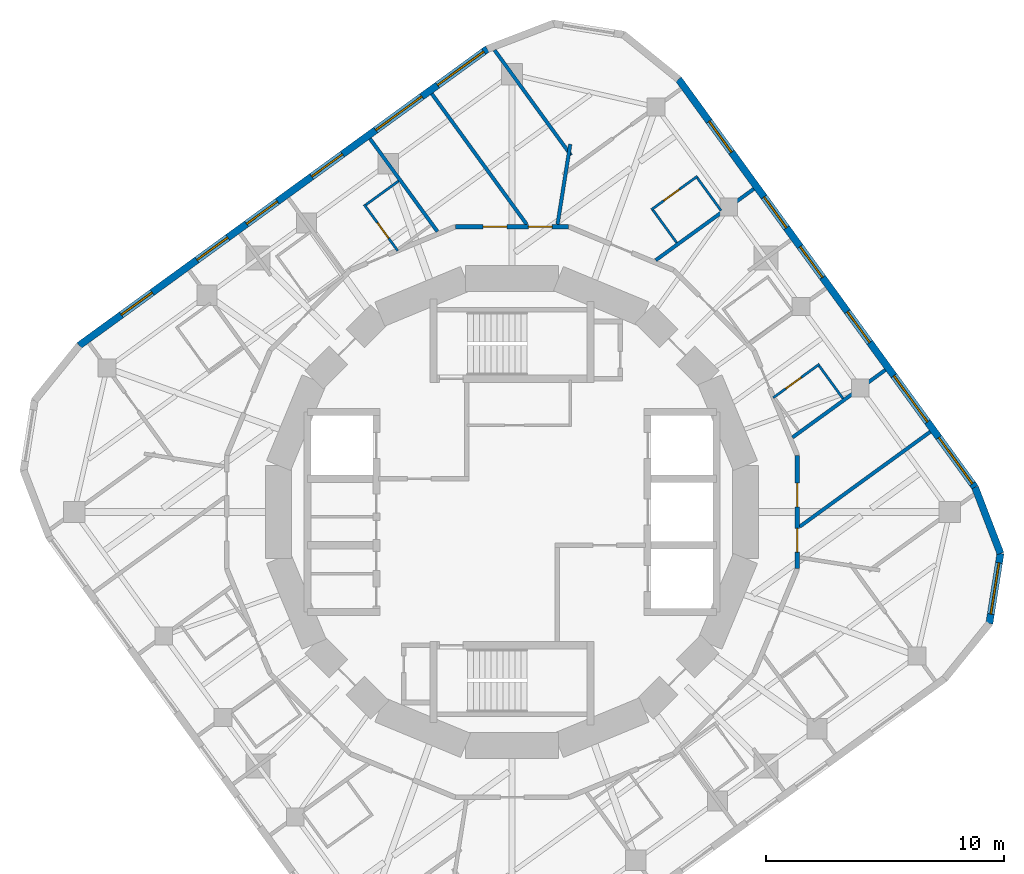
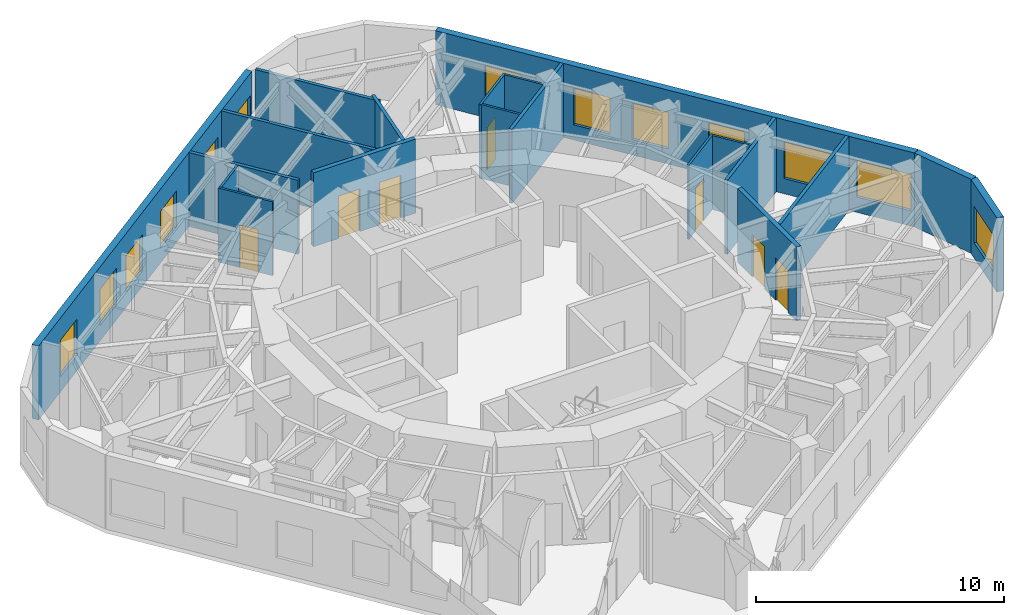
# One storey, part 7 of 9: 20 walls, 13 windows, 7 doors, 20 openings.
"""IFC4 building model written with IfcOpenShell, lengths in metres."""

from ifc_helpers import new_model, si_unit, direction, frame, frame_2d, origin, place, context, subcontext, project, spatial, rectangle, extrude, material, layer, layer_set, type_object, element, fill, save


model = new_model("IFC4")

# Units and contexts
model_context = context("Model", 3, precision=1e-05, world=origin(), true_north=direction((0.0, 1.0)))
body_context = subcontext(model_context, "Body", "Model", "MODEL_VIEW")
ifc_project = project(units=[si_unit("LENGTHUNIT", "METRE"), si_unit("AREAUNIT", "SQUARE_METRE"), si_unit("VOLUMEUNIT", "CUBIC_METRE"), si_unit("PLANEANGLEUNIT", "RADIAN"), si_unit("MASSUNIT", "GRAM", prefix="KILO")], contexts=[model_context])

# Site, building, storey
site_placement = place(None, origin())
site = spatial("IfcSite", under=ifc_project, at=site_placement, CompositionType="ELEMENT")
building_placement = place(site_placement, origin())
building = spatial("IfcBuilding", under=site, at=building_placement, Name="Nakasero Lantern House", CompositionType="ELEMENT")
storey_placement = place(building_placement, frame((0.0, 0.0, 279.14990234375)))
storey = spatial("IfcBuildingStorey", under=building, at=storey_placement, Name="L68", CompositionType="ELEMENT", Elevation=279.14990234375)

# Wall, openings, doors
ifc_material_1 = material(Name="Blockwork", Category="masonry")
ifc_layer_1 = layer(ifc_material_1, 0.199951171875)
ifc_layer_set_1 = layer_set([ifc_layer_1], Name="Corridor wall 200")
wall_type_1 = type_object("IfcWallType", Name="Corridor wall 200", PredefinedType="PARTITIONING", material=ifc_layer_set_1)
wall_1_placement = place(storey_placement, frame((11.98779296875, 2.384521484375, 0.0), z_axis=(0.0, 0.0, 1.0), x_axis=(0.0, -1.0, 0.0)))
wall_1 = element("IfcWall", 1, at=wall_1_placement, inside=storey, type_object=wall_type_1, Name="Corridor wall L68 RC00a", PredefinedType="PARTITIONING", context=body_context, shape_type="SweptSolid", body=[
    extrude(rectangle(XDim=4.76904296875, YDim=0.199951171875, at=frame_2d((2.384521484375, 0.0))), origin(), (0.0, 0.0, 1.0), 3.650146484375),
])
opening_1_placement = place(wall_1_placement, frame((3.070068359375, 0.0, 0.0)))
opening_1 = element("IfcOpeningElement", 2, at=opening_1_placement, cuts=wall_1, Name="Opening D03", PredefinedType="OPENING", context=body_context, shape_type="SweptSolid", body=[
    extrude(rectangle(XDim=1.0, YDim=2.10009765625, at=frame_2d((0.5, 1.050048828125))), frame((0.0, 0.119873046875, 0.0), z_axis=(0.0, -1.0, 0.0), x_axis=(1.0, 0.0, 0.0)), (0.0, 0.0, 1.0), 0.239990234375),
])
opening_2_placement = place(wall_1_placement, frame((1.169921875, 0.0, 0.0)))
opening_2 = element("IfcOpeningElement", 3, at=opening_2_placement, cuts=wall_1, Name="Opening D03", PredefinedType="OPENING", context=body_context, shape_type="SweptSolid", body=[
    extrude(rectangle(XDim=1.0, YDim=2.10009765625, at=frame_2d((0.5, 1.050048828125))), frame((0.0, 0.119873046875, 0.0), z_axis=(0.0, -1.0, 0.0), x_axis=(1.0, 0.0, 0.0)), (0.0, 0.0, 1.0), 0.239990234375),
])
ifc_material_2 = material(Name="Timber C24", Category="wood")
door_type_1 = type_object("IfcDoorType", Name="Lounge door FD30S 1000", OperationType="SINGLE_SWING_LEFT", PredefinedType="DOOR", material=ifc_material_2)
door_1_placement = place(opening_1_placement, origin())
door_1 = element("IfcDoor", 4, at=door_1_placement, inside=storey, type_object=door_type_1, Name="Door L68 DK0", OperationType="SINGLE_SWING_RIGHT", OverallHeight=2.10009765625, OverallWidth=1.0, PredefinedType="DOOR", context=body_context, shape_type="SweptSolid", body=[
    extrude(rectangle(XDim=1.0, YDim=2.10009765625, at=frame_2d((0.5, 1.050048828125))), frame((0.0, 0.02490234375, 0.0), z_axis=(0.0, -1.0, 0.0), x_axis=(1.0, 0.0, 0.0)), (0.0, 0.0, 1.0), 0.050048828125),
])
fill(opening_1, door_1)
door_2_placement = place(opening_2_placement, origin())
door_2 = element("IfcDoor", 5, at=door_2_placement, inside=storey, type_object=door_type_1, Name="Door L68 DK0-1", OperationType="SINGLE_SWING_LEFT", OverallHeight=2.10009765625, OverallWidth=1.0, PredefinedType="DOOR", context=body_context, shape_type="SweptSolid", body=[
    extrude(rectangle(XDim=1.0, YDim=2.10009765625, at=frame_2d((0.5, 1.050048828125))), frame((0.0, 0.02490234375, 0.0), z_axis=(0.0, -1.0, 0.0), x_axis=(1.0, 0.0, 0.0)), (0.0, 0.0, 1.0), 0.050048828125),
])
fill(opening_2, door_2)

wall_2_placement = place(storey_placement, frame((-2.384521484375, 11.98779296875, 0.0), z_axis=(0.0, 0.0, 1.0), x_axis=(1.0, 0.0, 0.0)))
wall_2 = element("IfcWall", 6, at=wall_2_placement, inside=storey, type_object=wall_type_1, Name="Corridor wall L68 RC12a", PredefinedType="PARTITIONING", context=body_context, shape_type="SweptSolid", body=[
    extrude(rectangle(XDim=4.76904296875, YDim=0.199951171875, at=frame_2d((2.384521484375, 0.0))), origin(), (0.0, 0.0, 1.0), 3.650146484375),
])
opening_3_placement = place(wall_2_placement, frame((3.070068359375, 0.0, 0.0)))
opening_3 = element("IfcOpeningElement", 7, at=opening_3_placement, cuts=wall_2, Name="Opening D03", PredefinedType="OPENING", context=body_context, shape_type="SweptSolid", body=[
    extrude(rectangle(XDim=1.0, YDim=2.10009765625, at=frame_2d((0.5, 1.050048828125))), frame((0.0, 0.119873046875, 0.0), z_axis=(0.0, -1.0, 0.0), x_axis=(1.0, 0.0, 0.0)), (0.0, 0.0, 1.0), 0.239990234375),
])
opening_4_placement = place(wall_2_placement, frame((1.169921875, 0.0, 0.0)))
opening_4 = element("IfcOpeningElement", 8, at=opening_4_placement, cuts=wall_2, Name="Opening D03", PredefinedType="OPENING", context=body_context, shape_type="SweptSolid", body=[
    extrude(rectangle(XDim=1.0, YDim=2.10009765625, at=frame_2d((0.5, 1.050048828125))), frame((0.0, 0.119873046875, 0.0), z_axis=(0.0, -1.0, 0.0), x_axis=(1.0, 0.0, 0.0)), (0.0, 0.0, 1.0), 0.239990234375),
])
door_3_placement = place(opening_3_placement, origin())
door_3 = element("IfcDoor", 9, at=door_3_placement, inside=storey, type_object=door_type_1, Name="Door L68 DK1", OperationType="SINGLE_SWING_RIGHT", OverallHeight=2.10009765625, OverallWidth=1.0, PredefinedType="DOOR", context=body_context, shape_type="SweptSolid", body=[
    extrude(rectangle(XDim=1.0, YDim=2.10009765625, at=frame_2d((0.5, 1.050048828125))), frame((0.0, 0.02490234375, 0.0), z_axis=(0.0, -1.0, 0.0), x_axis=(1.0, 0.0, 0.0)), (0.0, 0.0, 1.0), 0.050048828125),
])
fill(opening_3, door_3)
door_4_placement = place(opening_4_placement, origin())
door_4 = element("IfcDoor", 10, at=door_4_placement, inside=storey, type_object=door_type_1, Name="Door L68 DK1-1", OperationType="SINGLE_SWING_LEFT", OverallHeight=2.10009765625, OverallWidth=1.0, PredefinedType="DOOR", context=body_context, shape_type="SweptSolid", body=[
    extrude(rectangle(XDim=1.0, YDim=2.10009765625, at=frame_2d((0.5, 1.050048828125))), frame((0.0, 0.02490234375, 0.0), z_axis=(0.0, -1.0, 0.0), x_axis=(1.0, 0.0, 0.0)), (0.0, 0.0, 1.0), 0.050048828125),
])
fill(opening_4, door_4)

# Wall, opening, door
ifc_material_3 = material(Name="Blockwork", Category="masonry")
ifc_layer_2 = layer(ifc_material_3, 0.10009765625)
ifc_layer_set_2 = layer_set([ifc_layer_2], Name="En-suite wall 100")
wall_type_2 = type_object("IfcWallType", Name="En-suite wall 100", PredefinedType="PARTITIONING", material=ifc_layer_set_2)
wall_3_placement = place(storey_placement, frame((10.97705078125, 4.80126953125, 0.0), z_axis=(0.0, 0.0, 1.0), x_axis=(0.809026317077, 0.587772420479, 0.0)))
wall_3 = element("IfcWall", 11, at=wall_3_placement, inside=storey, type_object=wall_type_2, Name="En-suite wall L68 ES0-03", PredefinedType="PARTITIONING", context=body_context, shape_type="SweptSolid", body=[
    extrude(rectangle(XDim=2.39990234375, YDim=0.10009765625, at=frame_2d((1.199951171875, 0.0))), origin(), (0.0, 0.0, 1.0), 3.650146484375),
])
opening_5_placement = place(wall_3_placement, frame((0.64990234375, 0.0, 0.0)))
opening_5 = element("IfcOpeningElement", 12, at=opening_5_placement, cuts=wall_3, Name="Opening D02", PredefinedType="OPENING", context=body_context, shape_type="SweptSolid", body=[
    extrude(rectangle(XDim=0.800048828125, YDim=2.10009765625, at=frame_2d((0.39990234375, 1.050048828125))), frame((0.0, 0.070068359375, 0.0), z_axis=(0.0, -1.0, 0.0), x_axis=(1.0, 0.0, 0.0)), (0.0, 0.0, 1.0), 0.14013671875),
])
ifc_material_4 = material(Name="Timber C24", Category="wood")
door_type_2 = type_object("IfcDoorType", Name="En-suite door 800", OperationType="SINGLE_SWING_RIGHT", PredefinedType="DOOR", material=ifc_material_4)
door_5_placement = place(opening_5_placement, origin())
door_5 = element("IfcDoor", 13, at=door_5_placement, inside=storey, type_object=door_type_2, Name="Door L68 DE0-03", OperationType="SINGLE_SWING_LEFT", OverallHeight=2.10009765625, OverallWidth=0.800048828125, PredefinedType="DOOR", context=body_context, shape_type="SweptSolid", body=[
    extrude(rectangle(XDim=0.800048828125, YDim=2.10009765625, at=frame_2d((0.39990234375, 1.050048828125))), frame((0.0, 0.02490234375, 0.0), z_axis=(0.0, -1.0, 0.0), x_axis=(1.0, 0.0, 0.0)), (0.0, 0.0, 1.0), 0.050048828125),
])
fill(opening_5, door_5)

# Wall
wall_4_placement = place(storey_placement, frame((13.906982421875, 4.766845703125, 0.0), z_axis=(0.0, 0.0, 1.0), x_axis=(-0.587821529301, 0.808990636343, 0.0)))
element("IfcWall", 14, at=wall_4_placement, inside=storey, type_object=wall_type_2, Name="En-suite wall L68 EE0-03", PredefinedType="PARTITIONING", context=body_context, shape_type="SweptSolid", body=[
    extrude(rectangle(XDim=1.699951171875, YDim=0.10009765625, at=frame_2d((0.85009765625, 0.0))), origin(), (0.0, 0.0, 1.0), 3.650146484375),
])

# Wall, opening, door
wall_5_placement = place(storey_placement, frame((5.852783203125, 12.7001953125, 0.0), z_axis=(0.0, 0.0, 1.0), x_axis=(0.809026317077, 0.587772420479, 0.0)))
wall_5 = element("IfcWall", 15, at=wall_5_placement, inside=storey, type_object=wall_type_2, Name="En-suite wall L68 ES0-06", PredefinedType="PARTITIONING", context=body_context, shape_type="SweptSolid", body=[
    extrude(rectangle(XDim=2.39990234375, YDim=0.10009765625, at=frame_2d((1.199951171875, 0.0))), origin(), (0.0, 0.0, 1.0), 3.650146484375),
])
opening_6_placement = place(wall_5_placement, frame((0.64990234375, 0.0, 0.0)))
opening_6 = element("IfcOpeningElement", 16, at=opening_6_placement, cuts=wall_5, Name="Opening D02", PredefinedType="OPENING", context=body_context, shape_type="SweptSolid", body=[
    extrude(rectangle(XDim=0.800048828125, YDim=2.10009765625, at=frame_2d((0.39990234375, 1.050048828125))), frame((0.0, 0.070068359375, 0.0), z_axis=(0.0, -1.0, 0.0), x_axis=(1.0, 0.0, 0.0)), (0.0, 0.0, 1.0), 0.14013671875),
])
door_6_placement = place(opening_6_placement, origin())
door_6 = element("IfcDoor", 17, at=door_6_placement, inside=storey, type_object=door_type_2, Name="Door L68 DE0-06", OperationType="SINGLE_SWING_LEFT", OverallHeight=2.10009765625, OverallWidth=0.800048828125, PredefinedType="DOOR", context=body_context, shape_type="SweptSolid", body=[
    extrude(rectangle(XDim=0.800048828125, YDim=2.10009765625, at=frame_2d((0.39990234375, 1.050048828125))), frame((0.0, 0.02490234375, 0.0), z_axis=(0.0, -1.0, 0.0), x_axis=(1.0, 0.0, 0.0)), (0.0, 0.0, 1.0), 0.050048828125),
])
fill(opening_6, door_6)

# Walls
wall_6_placement = place(storey_placement, frame((8.78271484375, 12.665771484375, 0.0), z_axis=(0.0, 0.0, 1.0), x_axis=(-0.587821529301, 0.808990636343, 0.0)))
element("IfcWall", 18, at=wall_6_placement, inside=storey, type_object=wall_type_2, Name="En-suite wall L68 EE0-06", PredefinedType="PARTITIONING", context=body_context, shape_type="SweptSolid", body=[
    extrude(rectangle(XDim=1.699951171875, YDim=0.10009765625, at=frame_2d((0.85009765625, 0.0))), origin(), (0.0, 0.0, 1.0), 3.650146484375),
])
wall_7_placement = place(storey_placement, frame((6.921875, 11.313720703125, 0.0), z_axis=(0.0, 0.0, 1.0), x_axis=(-0.58775323954, 0.809040252033, 0.0)))
element("IfcWall", 19, at=wall_7_placement, inside=storey, type_object=wall_type_2, Name="En-suite wall L68 EI0-06", PredefinedType="PARTITIONING", context=body_context, shape_type="SweptSolid", body=[
    extrude(rectangle(XDim=1.7001953125, YDim=0.10009765625, at=frame_2d((0.85009765625, 0.0))), origin(), (0.0, 0.0, 1.0), 3.650146484375),
])

# Wall, opening, door
wall_8_placement = place(storey_placement, frame((-4.80126953125, 10.97705078125, 0.0), z_axis=(0.0, 0.0, 1.0), x_axis=(-0.587772420479, 0.809026317077, 0.0)))
wall_8 = element("IfcWall", 20, at=wall_8_placement, inside=storey, type_object=wall_type_2, Name="En-suite wall L68 ES1-03", PredefinedType="PARTITIONING", context=body_context, shape_type="SweptSolid", body=[
    extrude(rectangle(XDim=2.39990234375, YDim=0.10009765625, at=frame_2d((1.199951171875, 0.0))), origin(), (0.0, 0.0, 1.0), 3.650146484375),
])
opening_7_placement = place(wall_8_placement, frame((0.64990234375, 0.0, 0.0)))
opening_7 = element("IfcOpeningElement", 21, at=opening_7_placement, cuts=wall_8, Name="Opening D02", PredefinedType="OPENING", context=body_context, shape_type="SweptSolid", body=[
    extrude(rectangle(XDim=0.800048828125, YDim=2.10009765625, at=frame_2d((0.39990234375, 1.050048828125))), frame((0.0, 0.070068359375, 0.0), z_axis=(0.0, -1.0, 0.0), x_axis=(1.0, 0.0, 0.0)), (0.0, 0.0, 1.0), 0.14013671875),
])
door_7_placement = place(opening_7_placement, origin())
door_7 = element("IfcDoor", 22, at=door_7_placement, inside=storey, type_object=door_type_2, Name="Door L68 DE1-03", OperationType="SINGLE_SWING_LEFT", OverallHeight=2.10009765625, OverallWidth=0.800048828125, PredefinedType="DOOR", context=body_context, shape_type="SweptSolid", body=[
    extrude(rectangle(XDim=0.800048828125, YDim=2.10009765625, at=frame_2d((0.39990234375, 1.050048828125))), frame((0.0, 0.02490234375, 0.0), z_axis=(0.0, -1.0, 0.0), x_axis=(1.0, 0.0, 0.0)), (0.0, 0.0, 1.0), 0.050048828125),
])
fill(opening_7, door_7)

# Wall
wall_9_placement = place(storey_placement, frame((-4.766845703125, 13.906982421875, 0.0), z_axis=(0.0, 0.0, 1.0), x_axis=(-0.808990636343, -0.587821529301, 0.0)))
element("IfcWall", 23, at=wall_9_placement, inside=storey, type_object=wall_type_2, Name="En-suite wall L68 EE1-03", PredefinedType="PARTITIONING", context=body_context, shape_type="SweptSolid", body=[
    extrude(rectangle(XDim=1.699951171875, YDim=0.10009765625, at=frame_2d((0.85009765625, 0.0))), origin(), (0.0, 0.0, 1.0), 3.650146484375),
])

# Wall, openings, windows
ifc_material_5 = material(Name="Aluminium rainscreen on blockwork", Category="masonry")
ifc_layer_3 = layer(ifc_material_5, 0.300048828125)
ifc_layer_set_3 = layer_set([ifc_layer_3], Name="Facade wall 300")
wall_type_3 = type_object("IfcWallType", Name="Facade wall 300", PredefinedType="SOLIDWALL", material=ifc_layer_set_3)
wall_10_placement = place(storey_placement, frame((19.4580078125, 1.03466796875, 0.0), z_axis=(0.0, 0.0, 1.0), x_axis=(-0.587790233451, 0.809013375328, 0.0)))
wall_10 = element("IfcWall", 24, at=wall_10_placement, inside=storey, type_object=wall_type_3, Name="Facade wall L68 FW0S", PredefinedType="SOLIDWALL", context=body_context, shape_type="SweptSolid", body=[
    extrude(rectangle(XDim=21.199951171875, YDim=0.300048828125, at=frame_2d((10.60009765625, 0.0))), origin(), (0.0, 0.0, 1.0), 3.650146484375),
])
opening_8_placement = place(wall_10_placement, frame((7.52783203125, 0.0, 0.75)))
opening_8 = element("IfcOpeningElement", 25, at=opening_8_placement, cuts=wall_10, Name="Opening W01", PredefinedType="OPENING", context=body_context, shape_type="SweptSolid", body=[
    extrude(rectangle(XDim=1.60009765625, YDim=1.800048828125, at=frame_2d((0.800048828125, 0.89990234375))), frame((0.0, 0.169921875, 0.0), z_axis=(0.0, -1.0, 0.0), x_axis=(1.0, 0.0, 0.0)), (0.0, 0.0, 1.0), 0.340087890625),
])
opening_9_placement = place(wall_10_placement, frame((10.904052734375, 0.0, 0.75)))
opening_9 = element("IfcOpeningElement", 26, at=opening_9_placement, cuts=wall_10, Name="Opening W01", PredefinedType="OPENING", context=body_context, shape_type="SweptSolid", body=[
    extrude(rectangle(XDim=1.60009765625, YDim=1.800048828125, at=frame_2d((0.800048828125, 0.89990234375))), frame((0.0, 0.169921875, 0.0), z_axis=(0.0, -1.0, 0.0), x_axis=(1.0, 0.0, 0.0)), (0.0, 0.0, 1.0), 0.340087890625),
])
opening_10_placement = place(wall_10_placement, frame((13.484619140625, 0.0, 0.75)))
opening_10 = element("IfcOpeningElement", 27, at=opening_10_placement, cuts=wall_10, Name="Opening W01", PredefinedType="OPENING", context=body_context, shape_type="SweptSolid", body=[
    extrude(rectangle(XDim=1.60009765625, YDim=1.800048828125, at=frame_2d((0.800048828125, 0.89990234375))), frame((0.0, 0.169921875, 0.0), z_axis=(0.0, -1.0, 0.0), x_axis=(1.0, 0.0, 0.0)), (0.0, 0.0, 1.0), 0.340087890625),
])
opening_11_placement = place(wall_10_placement, frame((17.410888671875, 0.0, 0.75)))
opening_11 = element("IfcOpeningElement", 28, at=opening_11_placement, cuts=wall_10, Name="Opening W01", PredefinedType="OPENING", context=body_context, shape_type="SweptSolid", body=[
    extrude(rectangle(XDim=1.60009765625, YDim=1.800048828125, at=frame_2d((0.800048828125, 0.89990234375))), frame((0.0, 0.169921875, 0.0), z_axis=(0.0, -1.0, 0.0), x_axis=(1.0, 0.0, 0.0)), (0.0, 0.0, 1.0), 0.340087890625),
])
opening_12_placement = place(wall_10_placement, frame((0.1904296875, 0.0, 0.75)))
opening_12 = element("IfcOpeningElement", 29, at=opening_12_placement, cuts=wall_10, Name="Opening W03", PredefinedType="OPENING", context=body_context, shape_type="SweptSolid", body=[
    extrude(rectangle(XDim=2.39990234375, YDim=1.800048828125, at=frame_2d((1.199951171875, 0.89990234375))), frame((0.0, 0.169921875, 0.0), z_axis=(0.0, -1.0, 0.0), x_axis=(1.0, 0.0, 0.0)), (0.0, 0.0, 1.0), 0.340087890625),
])
opening_13_placement = place(wall_10_placement, frame((3.401611328125, 0.0, 0.75)))
opening_13 = element("IfcOpeningElement", 30, at=opening_13_placement, cuts=wall_10, Name="Opening W03", PredefinedType="OPENING", context=body_context, shape_type="SweptSolid", body=[
    extrude(rectangle(XDim=2.39990234375, YDim=1.800048828125, at=frame_2d((1.199951171875, 0.89990234375))), frame((0.0, 0.169921875, 0.0), z_axis=(0.0, -1.0, 0.0), x_axis=(1.0, 0.0, 0.0)), (0.0, 0.0, 1.0), 0.340087890625),
])
ifc_material_6 = material(Name="Aluminium 6063-T6 and glass", Category="aluminium")
window_type_1 = type_object("IfcWindowType", Name="Bedroom window 1600x1800", PartitioningType="SINGLE_PANEL", PredefinedType="WINDOW", material=ifc_material_6)
window_1_placement = place(opening_8_placement, origin())
window_1 = element("IfcWindow", 31, at=window_1_placement, inside=storey, type_object=window_type_1, Name="Window L68 WN0-03", OverallHeight=1.800048828125, OverallWidth=1.60009765625, PartitioningType="SINGLE_PANEL", PredefinedType="WINDOW", context=body_context, shape_type="SweptSolid", body=[
    extrude(rectangle(XDim=1.60009765625, YDim=1.800048828125, at=frame_2d((0.800048828125, 0.89990234375))), frame((0.0, 0.030029296875, 0.0), z_axis=(0.0, -1.0, 0.0), x_axis=(1.0, 0.0, 0.0)), (0.0, 0.0, 1.0), 0.06005859375),
])
fill(opening_8, window_1)
window_2_placement = place(opening_9_placement, origin())
window_2 = element("IfcWindow", 32, at=window_2_placement, inside=storey, type_object=window_type_1, Name="Window L68 WN0-04", OverallHeight=1.800048828125, OverallWidth=1.60009765625, PartitioningType="SINGLE_PANEL", PredefinedType="WINDOW", context=body_context, shape_type="SweptSolid", body=[
    extrude(rectangle(XDim=1.60009765625, YDim=1.800048828125, at=frame_2d((0.800048828125, 0.89990234375))), frame((0.0, 0.030029296875, 0.0), z_axis=(0.0, -1.0, 0.0), x_axis=(1.0, 0.0, 0.0)), (0.0, 0.0, 1.0), 0.06005859375),
])
fill(opening_9, window_2)
window_3_placement = place(opening_10_placement, origin())
window_3 = element("IfcWindow", 33, at=window_3_placement, inside=storey, type_object=window_type_1, Name="Window L68 WN0-05", OverallHeight=1.800048828125, OverallWidth=1.60009765625, PartitioningType="SINGLE_PANEL", PredefinedType="WINDOW", context=body_context, shape_type="SweptSolid", body=[
    extrude(rectangle(XDim=1.60009765625, YDim=1.800048828125, at=frame_2d((0.800048828125, 0.89990234375))), frame((0.0, 0.030029296875, 0.0), z_axis=(0.0, -1.0, 0.0), x_axis=(1.0, 0.0, 0.0)), (0.0, 0.0, 1.0), 0.06005859375),
])
fill(opening_10, window_3)
window_4_placement = place(opening_11_placement, origin())
window_4 = element("IfcWindow", 34, at=window_4_placement, inside=storey, type_object=window_type_1, Name="Window L68 WN0-06", OverallHeight=1.800048828125, OverallWidth=1.60009765625, PartitioningType="SINGLE_PANEL", PredefinedType="WINDOW", context=body_context, shape_type="SweptSolid", body=[
    extrude(rectangle(XDim=1.60009765625, YDim=1.800048828125, at=frame_2d((0.800048828125, 0.89990234375))), frame((0.0, 0.030029296875, 0.0), z_axis=(0.0, -1.0, 0.0), x_axis=(1.0, 0.0, 0.0)), (0.0, 0.0, 1.0), 0.06005859375),
])
fill(opening_11, window_4)
ifc_material_7 = material(Name="Aluminium 6063-T6 and glass", Category="aluminium")
window_type_2 = type_object("IfcWindowType", Name="Lounge window 2400x1800", PartitioningType="SINGLE_PANEL", PredefinedType="WINDOW", material=ifc_material_7)
window_5_placement = place(opening_12_placement, origin())
window_5 = element("IfcWindow", 35, at=window_5_placement, inside=storey, type_object=window_type_2, Name="Window L68 WK0", OverallHeight=1.800048828125, OverallWidth=2.39990234375, PartitioningType="SINGLE_PANEL", PredefinedType="WINDOW", context=body_context, shape_type="SweptSolid", body=[
    extrude(rectangle(XDim=2.39990234375, YDim=1.800048828125, at=frame_2d((1.199951171875, 0.89990234375))), frame((0.0, 0.030029296875, 0.0), z_axis=(0.0, -1.0, 0.0), x_axis=(1.0, 0.0, 0.0)), (0.0, 0.0, 1.0), 0.06005859375),
])
fill(opening_12, window_5)
window_6_placement = place(opening_13_placement, origin())
window_6 = element("IfcWindow", 36, at=window_6_placement, inside=storey, type_object=window_type_2, Name="Window L68 WL0", OverallHeight=1.800048828125, OverallWidth=2.39990234375, PartitioningType="SINGLE_PANEL", PredefinedType="WINDOW", context=body_context, shape_type="SweptSolid", body=[
    extrude(rectangle(XDim=2.39990234375, YDim=1.800048828125, at=frame_2d((1.199951171875, 0.89990234375))), frame((0.0, 0.030029296875, 0.0), z_axis=(0.0, -1.0, 0.0), x_axis=(1.0, 0.0, 0.0)), (0.0, 0.0, 1.0), 0.06005859375),
])
fill(opening_13, window_6)

wall_11_placement = place(storey_placement, frame((-1.03466796875, 19.4580078125, 0.0), z_axis=(0.0, 0.0, 1.0), x_axis=(-0.809013375328, -0.587790233451, 0.0)))
wall_11 = element("IfcWall", 37, at=wall_11_placement, inside=storey, type_object=wall_type_3, Name="Facade wall L68 FW1S", PredefinedType="SOLIDWALL", context=body_context, shape_type="SweptSolid", body=[
    extrude(rectangle(XDim=21.199951171875, YDim=0.300048828125, at=frame_2d((10.60009765625, 0.0))), origin(), (0.0, 0.0, 1.0), 3.650146484375),
])
opening_14_placement = place(wall_11_placement, frame((7.52783203125, 0.0, 0.75)))
opening_14 = element("IfcOpeningElement", 38, at=opening_14_placement, cuts=wall_11, Name="Opening W01", PredefinedType="OPENING", context=body_context, shape_type="SweptSolid", body=[
    extrude(rectangle(XDim=1.60009765625, YDim=1.800048828125, at=frame_2d((0.800048828125, 0.89990234375))), frame((0.0, 0.169921875, 0.0), z_axis=(0.0, -1.0, 0.0), x_axis=(1.0, 0.0, 0.0)), (0.0, 0.0, 1.0), 0.340087890625),
])
opening_15_placement = place(wall_11_placement, frame((10.904052734375, 0.0, 0.75)))
opening_15 = element("IfcOpeningElement", 39, at=opening_15_placement, cuts=wall_11, Name="Opening W01", PredefinedType="OPENING", context=body_context, shape_type="SweptSolid", body=[
    extrude(rectangle(XDim=1.60009765625, YDim=1.800048828125, at=frame_2d((0.800048828125, 0.89990234375))), frame((0.0, 0.169921875, 0.0), z_axis=(0.0, -1.0, 0.0), x_axis=(1.0, 0.0, 0.0)), (0.0, 0.0, 1.0), 0.340087890625),
])
opening_16_placement = place(wall_11_placement, frame((13.484619140625, 0.0, 0.75)))
opening_16 = element("IfcOpeningElement", 40, at=opening_16_placement, cuts=wall_11, Name="Opening W01", PredefinedType="OPENING", context=body_context, shape_type="SweptSolid", body=[
    extrude(rectangle(XDim=1.60009765625, YDim=1.800048828125, at=frame_2d((0.800048828125, 0.89990234375))), frame((0.0, 0.169921875, 0.0), z_axis=(0.0, -1.0, 0.0), x_axis=(1.0, 0.0, 0.0)), (0.0, 0.0, 1.0), 0.340087890625),
])
opening_17_placement = place(wall_11_placement, frame((17.410888671875, 0.0, 0.75)))
opening_17 = element("IfcOpeningElement", 41, at=opening_17_placement, cuts=wall_11, Name="Opening W01", PredefinedType="OPENING", context=body_context, shape_type="SweptSolid", body=[
    extrude(rectangle(XDim=1.60009765625, YDim=1.800048828125, at=frame_2d((0.800048828125, 0.89990234375))), frame((0.0, 0.169921875, 0.0), z_axis=(0.0, -1.0, 0.0), x_axis=(1.0, 0.0, 0.0)), (0.0, 0.0, 1.0), 0.340087890625),
])
opening_18_placement = place(wall_11_placement, frame((0.1904296875, 0.0, 0.75)))
opening_18 = element("IfcOpeningElement", 42, at=opening_18_placement, cuts=wall_11, Name="Opening W03", PredefinedType="OPENING", context=body_context, shape_type="SweptSolid", body=[
    extrude(rectangle(XDim=2.39990234375, YDim=1.800048828125, at=frame_2d((1.199951171875, 0.89990234375))), frame((0.0, 0.169921875, 0.0), z_axis=(0.0, -1.0, 0.0), x_axis=(1.0, 0.0, 0.0)), (0.0, 0.0, 1.0), 0.340087890625),
])
opening_19_placement = place(wall_11_placement, frame((3.401611328125, 0.0, 0.75)))
opening_19 = element("IfcOpeningElement", 43, at=opening_19_placement, cuts=wall_11, Name="Opening W03", PredefinedType="OPENING", context=body_context, shape_type="SweptSolid", body=[
    extrude(rectangle(XDim=2.39990234375, YDim=1.800048828125, at=frame_2d((1.199951171875, 0.89990234375))), frame((0.0, 0.169921875, 0.0), z_axis=(0.0, -1.0, 0.0), x_axis=(1.0, 0.0, 0.0)), (0.0, 0.0, 1.0), 0.340087890625),
])
window_7_placement = place(opening_14_placement, origin())
window_7 = element("IfcWindow", 44, at=window_7_placement, inside=storey, type_object=window_type_1, Name="Window L68 WN1-03", OverallHeight=1.800048828125, OverallWidth=1.60009765625, PartitioningType="SINGLE_PANEL", PredefinedType="WINDOW", context=body_context, shape_type="SweptSolid", body=[
    extrude(rectangle(XDim=1.60009765625, YDim=1.800048828125, at=frame_2d((0.800048828125, 0.89990234375))), frame((0.0, 0.030029296875, 0.0), z_axis=(0.0, -1.0, 0.0), x_axis=(1.0, 0.0, 0.0)), (0.0, 0.0, 1.0), 0.06005859375),
])
fill(opening_14, window_7)
window_8_placement = place(opening_15_placement, origin())
window_8 = element("IfcWindow", 45, at=window_8_placement, inside=storey, type_object=window_type_1, Name="Window L68 WN1-04", OverallHeight=1.800048828125, OverallWidth=1.60009765625, PartitioningType="SINGLE_PANEL", PredefinedType="WINDOW", context=body_context, shape_type="SweptSolid", body=[
    extrude(rectangle(XDim=1.60009765625, YDim=1.800048828125, at=frame_2d((0.800048828125, 0.89990234375))), frame((0.0, 0.030029296875, 0.0), z_axis=(0.0, -1.0, 0.0), x_axis=(1.0, 0.0, 0.0)), (0.0, 0.0, 1.0), 0.06005859375),
])
fill(opening_15, window_8)
window_9_placement = place(opening_16_placement, origin())
window_9 = element("IfcWindow", 46, at=window_9_placement, inside=storey, type_object=window_type_1, Name="Window L68 WN1-05", OverallHeight=1.800048828125, OverallWidth=1.60009765625, PartitioningType="SINGLE_PANEL", PredefinedType="WINDOW", context=body_context, shape_type="SweptSolid", body=[
    extrude(rectangle(XDim=1.60009765625, YDim=1.800048828125, at=frame_2d((0.800048828125, 0.89990234375))), frame((0.0, 0.030029296875, 0.0), z_axis=(0.0, -1.0, 0.0), x_axis=(1.0, 0.0, 0.0)), (0.0, 0.0, 1.0), 0.06005859375),
])
fill(opening_16, window_9)
window_10_placement = place(opening_17_placement, origin())
window_10 = element("IfcWindow", 47, at=window_10_placement, inside=storey, type_object=window_type_1, Name="Window L68 WN1-06", OverallHeight=1.800048828125, OverallWidth=1.60009765625, PartitioningType="SINGLE_PANEL", PredefinedType="WINDOW", context=body_context, shape_type="SweptSolid", body=[
    extrude(rectangle(XDim=1.60009765625, YDim=1.800048828125, at=frame_2d((0.800048828125, 0.89990234375))), frame((0.0, 0.030029296875, 0.0), z_axis=(0.0, -1.0, 0.0), x_axis=(1.0, 0.0, 0.0)), (0.0, 0.0, 1.0), 0.06005859375),
])
fill(opening_17, window_10)
window_11_placement = place(opening_18_placement, origin())
window_11 = element("IfcWindow", 48, at=window_11_placement, inside=storey, type_object=window_type_2, Name="Window L68 WK1", OverallHeight=1.800048828125, OverallWidth=2.39990234375, PartitioningType="SINGLE_PANEL", PredefinedType="WINDOW", context=body_context, shape_type="SweptSolid", body=[
    extrude(rectangle(XDim=2.39990234375, YDim=1.800048828125, at=frame_2d((1.199951171875, 0.89990234375))), frame((0.0, 0.030029296875, 0.0), z_axis=(0.0, -1.0, 0.0), x_axis=(1.0, 0.0, 0.0)), (0.0, 0.0, 1.0), 0.06005859375),
])
fill(opening_18, window_11)
window_12_placement = place(opening_19_placement, origin())
window_12 = element("IfcWindow", 49, at=window_12_placement, inside=storey, type_object=window_type_2, Name="Window L68 WL1", OverallHeight=1.800048828125, OverallWidth=2.39990234375, PartitioningType="SINGLE_PANEL", PredefinedType="WINDOW", context=body_context, shape_type="SweptSolid", body=[
    extrude(rectangle(XDim=2.39990234375, YDim=1.800048828125, at=frame_2d((1.199951171875, 0.89990234375))), frame((0.0, 0.030029296875, 0.0), z_axis=(0.0, -1.0, 0.0), x_axis=(1.0, 0.0, 0.0)), (0.0, 0.0, 1.0), 0.06005859375),
])
fill(opening_19, window_12)

# Wall, opening, window
wall_12_placement = place(storey_placement, frame((20.05908203125, -4.683837890625, 0.0), z_axis=(0.0, 0.0, 1.0), x_axis=(0.156413227021, 0.987691704133, 0.0)))
wall_12 = element("IfcWall", 50, at=wall_12_placement, inside=storey, type_object=wall_type_3, Name="Facade wall L68 FW3C2", PredefinedType="SOLIDWALL", context=body_context, shape_type="SweptSolid", body=[
    extrude(rectangle(XDim=2.9765625, YDim=0.300048828125, at=frame_2d((1.48828125, 0.0))), origin(), (0.0, 0.0, 1.0), 3.650146484375),
])
opening_20_placement = place(wall_12_placement, frame((0.39990234375, 0.0, 0.75)))
opening_20 = element("IfcOpeningElement", 51, at=opening_20_placement, cuts=wall_12, Name="Opening W221", PredefinedType="OPENING", context=body_context, shape_type="SweptSolid", body=[
    extrude(rectangle(XDim=2.176025390625, YDim=1.800048828125, at=frame_2d((1.087890625, 0.89990234375))), frame((0.0, 0.169921875, 0.0), z_axis=(0.0, -1.0, 0.0), x_axis=(1.0, 0.0, 0.0)), (0.0, 0.0, 1.0), 0.340087890625),
])
ifc_material_8 = material(Name="Aluminium 6063-T6 and glass", Category="aluminium")
window_type_3 = type_object("IfcWindowType", Name="Corner window 2176x1800", PartitioningType="SINGLE_PANEL", PredefinedType="WINDOW", material=ifc_material_8)
window_13_placement = place(opening_20_placement, origin())
window_13 = element("IfcWindow", 52, at=window_13_placement, inside=storey, type_object=window_type_3, Name="Window L68 WC3", OverallHeight=1.800048828125, OverallWidth=2.176025390625, PartitioningType="SINGLE_PANEL", PredefinedType="WINDOW", context=body_context, shape_type="SweptSolid", body=[
    extrude(rectangle(XDim=2.176025390625, YDim=1.800048828125, at=frame_2d((1.087890625, 0.89990234375))), frame((0.0, 0.030029296875, 0.0), z_axis=(0.0, -1.0, 0.0), x_axis=(1.0, 0.0, 0.0)), (0.0, 0.0, 1.0), 0.06005859375),
])
fill(opening_20, window_13)

# Walls
wall_13_placement = place(storey_placement, frame((20.524658203125, -1.743896484375, 0.0), z_axis=(0.0, 0.0, 1.0), x_axis=(-0.35838535244, 0.933573745966, 0.0)))
element("IfcWall", 53, at=wall_13_placement, inside=storey, type_object=wall_type_3, Name="Facade wall L68 FW3C3", PredefinedType="SOLIDWALL", context=body_context, shape_type="SweptSolid", body=[
    extrude(rectangle(XDim=2.976318359375, YDim=0.300048828125, at=frame_2d((1.48828125, 0.0))), origin(), (0.0, 0.0, 1.0), 3.650146484375),
])
ifc_material_9 = material(Name="Blockwork", Category="masonry")
ifc_layer_4 = layer(ifc_material_9, 0.14990234375)
ifc_layer_set_4 = layer_set([ifc_layer_4], Name="Party wall 150")
wall_type_4 = type_object("IfcWallType", Name="Party wall 150", PredefinedType="PARTITIONING", material=ifc_layer_set_4)
wall_14_placement = place(storey_placement, frame((12.087890625, -0.61669921875, 0.0), z_axis=(0.0, 0.0, 1.0), x_axis=(0.809020810066, 0.587780000409, 0.0)))
element("IfcWall", 54, at=wall_14_placement, inside=storey, type_object=wall_type_4, Name="Party wall L68 PW0-02", PredefinedType="PARTITIONING", context=body_context, shape_type="SweptSolid", body=[
    extrude(rectangle(XDim=6.783203125, YDim=0.14990234375, at=frame_2d((3.3916015625, 0.0))), origin(), (0.0, 0.0, 1.0), 3.650146484375),
])
wall_15_placement = place(storey_placement, frame((11.7861328125, 3.133056640625, 0.0), z_axis=(0.0, 0.0, 1.0), x_axis=(0.809000848856, 0.587807474051, 0.0)))
element("IfcWall", 55, at=wall_15_placement, inside=storey, type_object=wall_type_4, Name="Party wall L68 PW0-03", PredefinedType="PARTITIONING", context=body_context, shape_type="SweptSolid", body=[
    extrude(rectangle(XDim=4.8232421875, YDim=0.14990234375, at=frame_2d((2.41162109375, 0.0))), origin(), (0.0, 0.0, 1.0), 3.650146484375),
])
wall_16_placement = place(storey_placement, frame((6.04150390625, 10.581298828125, 0.0), z_axis=(0.0, 0.0, 1.0), x_axis=(0.808997200429, 0.587812495358, 0.0)))
element("IfcWall", 56, at=wall_16_placement, inside=storey, type_object=wall_type_4, Name="Party wall L68 PW0-06", PredefinedType="PARTITIONING", context=body_context, shape_type="SweptSolid", body=[
    extrude(rectangle(XDim=5.0927734375, YDim=0.14990234375, at=frame_2d((2.54638671875, 0.0))), origin(), (0.0, 0.0, 1.0), 3.650146484375),
])
wall_17_placement = place(storey_placement, frame((1.91455078125, 12.087890625, 0.0), z_axis=(0.0, 0.0, 1.0), x_axis=(0.156429454775, 0.98768913413, 0.0)))
element("IfcWall", 57, at=wall_17_placement, inside=storey, type_object=wall_type_4, Name="Party wall L68 PD0", PredefinedType="PARTITIONING", context=body_context, shape_type="SweptSolid", body=[
    extrude(rectangle(XDim=3.41015625, YDim=0.14990234375, at=frame_2d((1.705078125, 0.0))), origin(), (0.0, 0.0, 1.0), 3.650146484375),
])
wall_18_placement = place(storey_placement, frame((2.48095703125, 14.9853515625, 0.0), z_axis=(0.0, 0.0, 1.0), x_axis=(-0.587775959987, 0.809023745549, 0.0)))
element("IfcWall", 58, at=wall_18_placement, inside=storey, type_object=wall_type_4, Name="Party wall L68 PW1-01", PredefinedType="PARTITIONING", context=body_context, shape_type="SweptSolid", body=[
    extrude(rectangle(XDim=5.466552734375, YDim=0.14990234375, at=frame_2d((2.7333984375, 0.0))), origin(), (0.0, 0.0, 1.0), 3.650146484375),
])
wall_19_placement = place(storey_placement, frame((0.61669921875, 12.087890625, 0.0), z_axis=(0.0, 0.0, 1.0), x_axis=(-0.587780000409, 0.809020810066, 0.0)))
element("IfcWall", 59, at=wall_19_placement, inside=storey, type_object=wall_type_4, Name="Party wall L68 PW1-02", PredefinedType="PARTITIONING", context=body_context, shape_type="SweptSolid", body=[
    extrude(rectangle(XDim=6.783203125, YDim=0.14990234375, at=frame_2d((3.3916015625, 0.0))), origin(), (0.0, 0.0, 1.0), 3.650146484375),
])
wall_20_placement = place(storey_placement, frame((-3.133056640625, 11.7861328125, 0.0), z_axis=(0.0, 0.0, 1.0), x_axis=(-0.587807474051, 0.809000848856, 0.0)))
element("IfcWall", 60, at=wall_20_placement, inside=storey, type_object=wall_type_4, Name="Party wall L68 PW1-03", PredefinedType="PARTITIONING", context=body_context, shape_type="SweptSolid", body=[
    extrude(rectangle(XDim=4.8232421875, YDim=0.14990234375, at=frame_2d((2.41162109375, 0.0))), origin(), (0.0, 0.0, 1.0), 3.650146484375),
])

save(model, "model.ifc")
